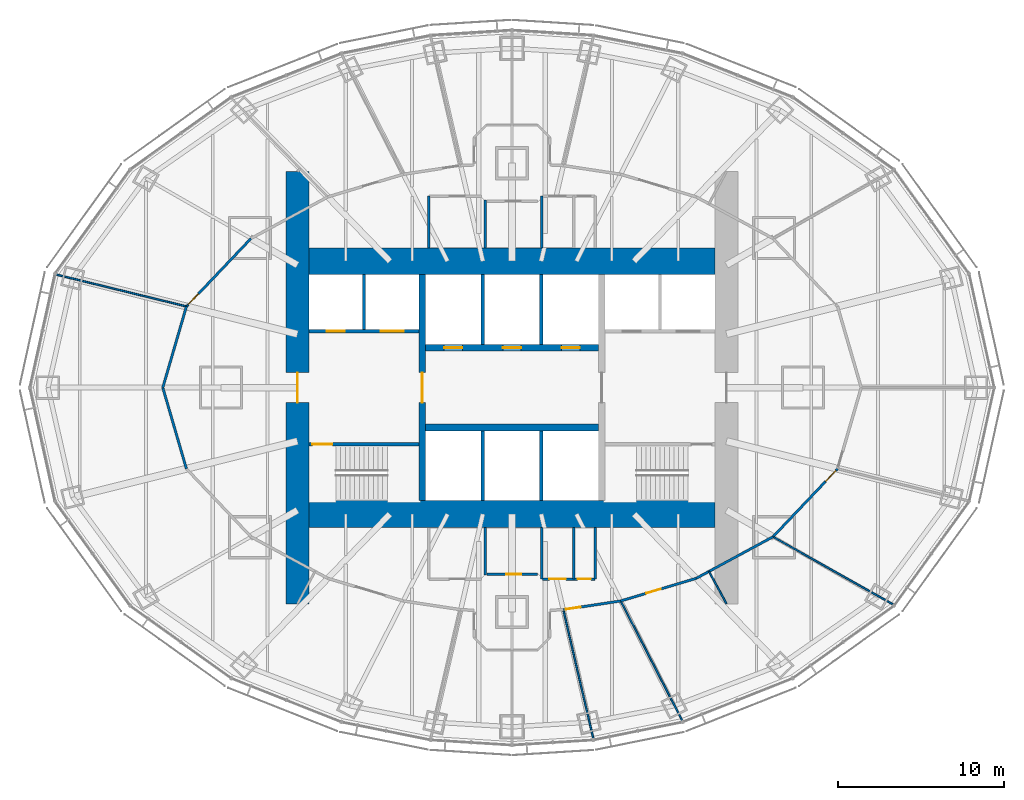
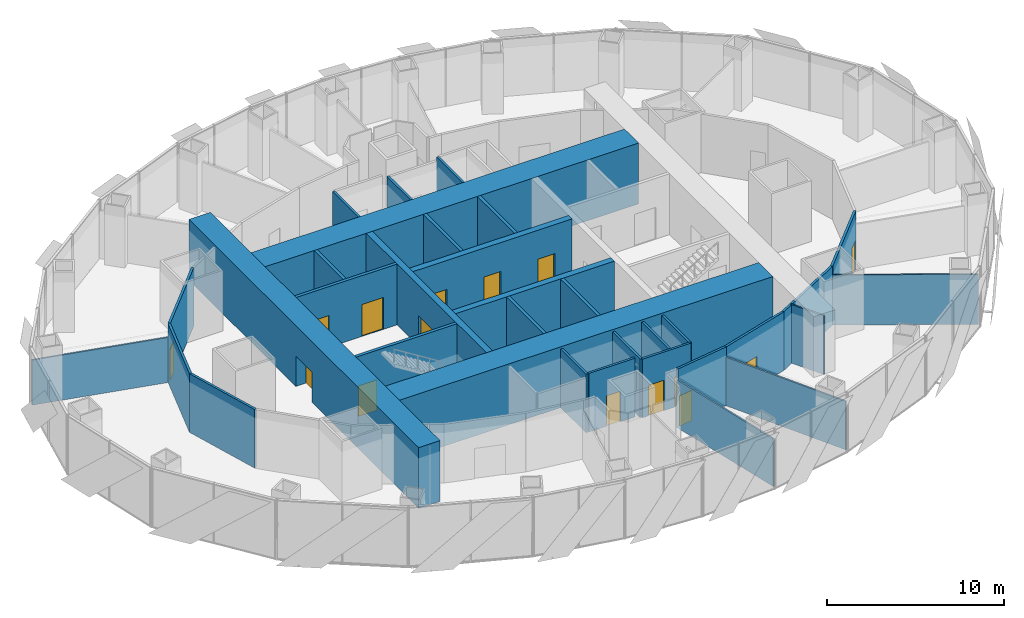
# One storey, part 11 of 18: 34 walls, 15 doors, 15 openings.
"""IFC4 building model written with IfcOpenShell, lengths in metres."""

from ifc_helpers import new_model, si_unit, direction, frame, frame_2d, origin, place, context, subcontext, project, spatial, rectangle, extrude, material, layer, layer_set, type_object, element, fill, save


model = new_model("IFC4")

# Units and contexts
model_context = context("Model", 3, precision=1e-05, world=origin(), true_north=direction((0.0, 1.0)))
body_context = subcontext(model_context, "Body", "Model", "MODEL_VIEW")
ifc_project = project(units=[si_unit("LENGTHUNIT", "METRE"), si_unit("AREAUNIT", "SQUARE_METRE"), si_unit("VOLUMEUNIT", "CUBIC_METRE"), si_unit("PLANEANGLEUNIT", "RADIAN"), si_unit("MASSUNIT", "GRAM", prefix="KILO")], contexts=[model_context])

# Site, building, storey
site_placement = place(None, origin())
site = spatial("IfcSite", under=ifc_project, at=site_placement, CompositionType="ELEMENT")
building_placement = place(site_placement, origin())
building = spatial("IfcBuilding", under=site, at=building_placement, Name="Lantaw Convention Tower", CompositionType="ELEMENT")
storey_placement = place(building_placement, frame((0.0, 0.0, 146.800048828125)))
storey = spatial("IfcBuildingStorey", under=building, at=storey_placement, Name="L34", CompositionType="ELEMENT", Elevation=146.800048828125)

# Wall, opening, door
ifc_material_1 = material(Name="Concrete C60/75", Category="concrete")
ifc_layer_1 = layer(ifc_material_1, 1.39990234375)
ifc_layer_set_1 = layer_set([ifc_layer_1], Name="Core wall 1400")
wall_type_1 = type_object("IfcWallType", Name="Core wall 1400", PredefinedType="SHEAR", material=ifc_layer_set_1)
wall_1_placement = place(storey_placement, frame((-12.89990234375, 13.0, 0.0), z_axis=(0.0, 0.0, 1.0), x_axis=(0.0, -1.0, 0.0)))
wall_1 = element("IfcWall", 1, at=wall_1_placement, inside=storey, type_object=wall_type_1, Name="Core wall W", PredefinedType="SHEAR", context=body_context, shape_type="SweptSolid", body=[
    extrude(rectangle(XDim=26.0, YDim=1.39990234375, at=frame_2d((13.0, 0.0))), origin(), (0.0, 0.0, 1.0), 4.199951171875),
])
opening_1_placement = place(wall_1_placement, frame((12.10009765625, 0.0, 0.0)))
opening_1 = element("IfcOpeningElement", 2, at=opening_1_placement, cuts=wall_1, Name="Opening L34.06", PredefinedType="OPENING", context=body_context, shape_type="SweptSolid", body=[
    extrude(rectangle(XDim=1.800048828125, YDim=2.10009765625, at=frame_2d((0.89990234375, 1.050048828125))), frame((0.0, 0.7099609375, 0.0), z_axis=(0.0, -1.0, 0.0), x_axis=(1.0, 0.0, 0.0)), (0.0, 0.0, 1.0), 1.419921875),
])
ifc_material_2 = material(Name="Steel, fire rated", Category="steel")
door_type_1 = type_object("IfcDoorType", Name="Lobby double door FD90", OperationType="DOUBLE_DOOR_DOUBLE_SWING", PredefinedType="DOOR", material=ifc_material_2)
door_1_placement = place(opening_1_placement, origin())
door_1 = element("IfcDoor", 3, at=door_1_placement, inside=storey, type_object=door_type_1, Name="Firefighting lobby door", OperationType="DOUBLE_DOOR_DOUBLE_SWING", OverallHeight=2.10009765625, OverallWidth=1.800048828125, PredefinedType="DOOR", context=body_context, shape_type="SweptSolid", body=[
    extrude(rectangle(XDim=1.800048828125, YDim=2.10009765625, at=frame_2d((0.89990234375, 1.050048828125))), frame((0.0, 0.02490234375, 0.0), z_axis=(0.0, -1.0, 0.0), x_axis=(1.0, 0.0, 0.0)), (0.0, 0.0, 1.0), 0.050048828125),
])
fill(opening_1, door_1)

# Walls
ifc_layer_2 = layer(ifc_material_1, 1.60009765625)
ifc_layer_set_2 = layer_set([ifc_layer_2], Name="Core wall 1600")
wall_type_2 = type_object("IfcWallType", Name="Core wall 1600", PredefinedType="SHEAR", material=ifc_layer_set_2)
for number, where, z_axis, x_axis, name in (
    (4, (-12.199951171875, -7.60009765625, 0.0), (0.0, 0.0, 1.0), (1.0, 0.0, 0.0), "Core wall S"),
    (5, (12.199951171875, 7.60009765625, 0.0), (0.0, 0.0, 1.0), (-1.0, 0.0, 0.0), "Core wall N"),
):
    element("IfcWall", number, at=place(storey_placement, frame(where, z_axis=z_axis, x_axis=x_axis)), inside=storey, type_object=wall_type_2, Name=name, PredefinedType="SHEAR", context=body_context, shape_type="SweptSolid", body=[
        extrude(rectangle(XDim=24.39990234375, YDim=1.60009765625, at=frame_2d((12.199951171875, 0.0))), origin(), (0.0, 0.0, 1.0), 4.199951171875),
    ])

# Wall, opening, door
ifc_layer_3 = layer(ifc_material_1, 0.199951171875)
ifc_layer_set_3 = layer_set([ifc_layer_3], Name="Core wall 200")
wall_type_3 = type_object("IfcWallType", Name="Core wall 200", PredefinedType="SHEAR", material=ifc_layer_set_3)
wall_2_placement = place(storey_placement, frame((-5.60009765625, -3.39990234375, 0.0), z_axis=(0.0, 0.0, 1.0), x_axis=(-1.0, 0.0, 0.0)))
wall_2 = element("IfcWall", 6, at=wall_2_placement, inside=storey, type_object=wall_type_3, Name="Core wall WS", PredefinedType="SHEAR", context=body_context, shape_type="SweptSolid", body=[
    extrude(rectangle(XDim=6.599853515625, YDim=0.199951171875, at=frame_2d((3.2998046875, 0.0))), origin(), (0.0, 0.0, 1.0), 4.199951171875),
])
opening_2_placement = place(wall_2_placement, frame((5.199951171875, 0.0, 0.0)))
opening_2 = element("IfcOpeningElement", 7, at=opening_2_placement, cuts=wall_2, Name="Opening L34.04", PredefinedType="OPENING", context=body_context, shape_type="SweptSolid", body=[
    extrude(rectangle(XDim=1.199951171875, YDim=2.10009765625, at=frame_2d((0.60009765625, 1.050048828125))), frame((0.0, 0.10986328125, 0.0), z_axis=(0.0, -1.0, 0.0), x_axis=(1.0, 0.0, 0.0)), (0.0, 0.0, 1.0), 0.219970703125),
])
door_type_2 = type_object("IfcDoorType", Name="Stair door FD90", OperationType="SINGLE_SWING_RIGHT", PredefinedType="DOOR", material=ifc_material_2)
door_2_placement = place(opening_2_placement, origin())
door_2 = element("IfcDoor", 8, at=door_2_placement, inside=storey, type_object=door_type_2, Name="Exit stair door", OperationType="SINGLE_SWING_RIGHT", OverallHeight=2.10009765625, OverallWidth=1.199951171875, PredefinedType="DOOR", context=body_context, shape_type="SweptSolid", body=[
    extrude(rectangle(XDim=1.199951171875, YDim=2.10009765625, at=frame_2d((0.60009765625, 1.050048828125))), frame((0.0, 0.02490234375, 0.0), z_axis=(0.0, -1.0, 0.0), x_axis=(1.0, 0.0, 0.0)), (0.0, 0.0, 1.0), 0.050048828125),
])
fill(opening_2, door_2)

ifc_layer_4 = layer(ifc_material_1, 0.39990234375)
ifc_layer_set_4 = layer_set([ifc_layer_4], Name="Core wall 400")
wall_type_4 = type_object("IfcWallType", Name="Core wall 400", PredefinedType="SHEAR", material=ifc_layer_set_4)
wall_3_placement = place(storey_placement, frame((-5.39990234375, 6.800048828125, 0.0), z_axis=(0.0, 0.0, 1.0), x_axis=(0.0, -1.0, 0.0)))
wall_3 = element("IfcWall", 9, at=wall_3_placement, inside=storey, type_object=wall_type_4, Name="Core wall XW", PredefinedType="SHEAR", context=body_context, shape_type="SweptSolid", body=[
    extrude(rectangle(XDim=13.60009765625, YDim=0.39990234375, at=frame_2d((6.800048828125, 0.0))), origin(), (0.0, 0.0, 1.0), 4.199951171875),
])
opening_3_placement = place(wall_3_placement, frame((5.89990234375, 0.0, 0.0)))
opening_3 = element("IfcOpeningElement", 10, at=opening_3_placement, cuts=wall_3, Name="Opening L34.02", PredefinedType="OPENING", context=body_context, shape_type="SweptSolid", body=[
    extrude(rectangle(XDim=1.800048828125, YDim=2.10009765625, at=frame_2d((0.89990234375, 1.050048828125))), frame((0.0, 0.2099609375, 0.0), z_axis=(0.0, -1.0, 0.0), x_axis=(1.0, 0.0, 0.0)), (0.0, 0.0, 1.0), 0.419921875),
])
door_3_placement = place(opening_3_placement, origin())
door_3 = element("IfcDoor", 11, at=door_3_placement, inside=storey, type_object=door_type_1, Name="Lift lobby door", OperationType="DOUBLE_DOOR_DOUBLE_SWING", OverallHeight=2.10009765625, OverallWidth=1.800048828125, PredefinedType="DOOR", context=body_context, shape_type="SweptSolid", body=[
    extrude(rectangle(XDim=1.800048828125, YDim=2.10009765625, at=frame_2d((0.89990234375, 1.050048828125))), frame((0.0, 0.02490234375, 0.0), z_axis=(0.0, -1.0, 0.0), x_axis=(1.0, 0.0, 0.0)), (0.0, 0.0, 1.0), 0.050048828125),
])
fill(opening_3, door_3)

# Wall
wall_4_placement = place(storey_placement, frame((-5.199951171875, -2.39990234375, 0.0), z_axis=(0.0, 0.0, 1.0), x_axis=(1.0, 0.0, 0.0)))
element("IfcWall", 12, at=wall_4_placement, inside=storey, type_object=wall_type_4, Name="Core wall BS", PredefinedType="SHEAR", context=body_context, shape_type="SweptSolid", body=[
    extrude(rectangle(XDim=10.39990234375, YDim=0.39990234375, at=frame_2d((5.199951171875, 0.0))), origin(), (0.0, 0.0, 1.0), 4.199951171875),
])

# Wall, openings, doors
wall_5_placement = place(storey_placement, frame((5.199951171875, 2.39990234375, 0.0), z_axis=(0.0, 0.0, 1.0), x_axis=(-1.0, 0.0, 0.0)))
wall_5 = element("IfcWall", 13, at=wall_5_placement, inside=storey, type_object=wall_type_4, Name="Core wall BN", PredefinedType="SHEAR", context=body_context, shape_type="SweptSolid", body=[
    extrude(rectangle(XDim=10.39990234375, YDim=0.39990234375, at=frame_2d((5.199951171875, 0.0))), origin(), (0.0, 0.0, 1.0), 4.199951171875),
])
opening_4_placement = place(wall_5_placement, frame((8.183349609375, 0.0, 0.0)))
opening_4 = element("IfcOpeningElement", 14, at=opening_4_placement, cuts=wall_5, Name="Opening L34.07", PredefinedType="OPENING", context=body_context, shape_type="SweptSolid", body=[
    extrude(rectangle(XDim=1.10009765625, YDim=2.199951171875, at=frame_2d((0.550048828125, 1.10009765625))), frame((0.0, 0.2099609375, 0.0), z_axis=(0.0, -1.0, 0.0), x_axis=(1.0, 0.0, 0.0)), (0.0, 0.0, 1.0), 0.419921875),
])
opening_5_placement = place(wall_5_placement, frame((4.64990234375, 0.0, 0.0)))
opening_5 = element("IfcOpeningElement", 15, at=opening_5_placement, cuts=wall_5, Name="Opening L34.08", PredefinedType="OPENING", context=body_context, shape_type="SweptSolid", body=[
    extrude(rectangle(XDim=1.10009765625, YDim=2.199951171875, at=frame_2d((0.550048828125, 1.10009765625))), frame((0.0, 0.2099609375, 0.0), z_axis=(0.0, -1.0, 0.0), x_axis=(1.0, 0.0, 0.0)), (0.0, 0.0, 1.0), 0.419921875),
])
opening_6_placement = place(wall_5_placement, frame((1.11669921875, 0.0, 0.0)))
opening_6 = element("IfcOpeningElement", 16, at=opening_6_placement, cuts=wall_5, Name="Opening L34.09", PredefinedType="OPENING", context=body_context, shape_type="SweptSolid", body=[
    extrude(rectangle(XDim=1.10009765625, YDim=2.199951171875, at=frame_2d((0.550048828125, 1.10009765625))), frame((0.0, 0.2099609375, 0.0), z_axis=(0.0, -1.0, 0.0), x_axis=(1.0, 0.0, 0.0)), (0.0, 0.0, 1.0), 0.419921875),
])
ifc_material_3 = material(Name="Stainless steel", Category="steel")
door_type_3 = type_object("IfcDoorType", Name="Lift landing door 1100", OperationType="DOUBLE_DOOR_SLIDING", PredefinedType="DOOR", material=ifc_material_3)
door_4_placement = place(opening_4_placement, origin())
door_4 = element("IfcDoor", 17, at=door_4_placement, inside=storey, type_object=door_type_3, Name="Lift landing door N1", OperationType="DOUBLE_DOOR_SLIDING", OverallHeight=2.199951171875, OverallWidth=1.10009765625, PredefinedType="DOOR", context=body_context, shape_type="SweptSolid", body=[
    extrude(rectangle(XDim=1.10009765625, YDim=2.199951171875, at=frame_2d((0.550048828125, 1.10009765625))), frame((0.0, 0.02490234375, 0.0), z_axis=(0.0, -1.0, 0.0), x_axis=(1.0, 0.0, 0.0)), (0.0, 0.0, 1.0), 0.050048828125),
])
fill(opening_4, door_4)
door_5_placement = place(opening_5_placement, origin())
door_5 = element("IfcDoor", 18, at=door_5_placement, inside=storey, type_object=door_type_3, Name="Lift landing door N2", OperationType="DOUBLE_DOOR_SLIDING", OverallHeight=2.199951171875, OverallWidth=1.10009765625, PredefinedType="DOOR", context=body_context, shape_type="SweptSolid", body=[
    extrude(rectangle(XDim=1.10009765625, YDim=2.199951171875, at=frame_2d((0.550048828125, 1.10009765625))), frame((0.0, 0.02490234375, 0.0), z_axis=(0.0, -1.0, 0.0), x_axis=(1.0, 0.0, 0.0)), (0.0, 0.0, 1.0), 0.050048828125),
])
fill(opening_5, door_5)
door_6_placement = place(opening_6_placement, origin())
door_6 = element("IfcDoor", 19, at=door_6_placement, inside=storey, type_object=door_type_3, Name="Lift landing door N3", OperationType="DOUBLE_DOOR_SLIDING", OverallHeight=2.199951171875, OverallWidth=1.10009765625, PredefinedType="DOOR", context=body_context, shape_type="SweptSolid", body=[
    extrude(rectangle(XDim=1.10009765625, YDim=2.199951171875, at=frame_2d((0.550048828125, 1.10009765625))), frame((0.0, 0.02490234375, 0.0), z_axis=(0.0, -1.0, 0.0), x_axis=(1.0, 0.0, 0.0)), (0.0, 0.0, 1.0), 0.050048828125),
])
fill(opening_6, door_6)

# Wall, opening, door
ifc_material_4 = material(Name="Gypsum board on steel studs, fire rated", Category="steel")
ifc_layer_5 = layer(ifc_material_4, 0.14990234375)
ifc_layer_set_5 = layer_set([ifc_layer_5], Name="Corridor wall 150 EI 60")
wall_type_5 = type_object("IfcWallType", Name="Corridor wall 150 EI 60", PredefinedType="PARTITIONING", material=ifc_layer_set_5)
wall_6_placement = place(storey_placement, frame((-15.695556640625, 8.968994140625, 0.0), z_axis=(0.0, 0.0, 1.0), x_axis=(-0.688797257101, -0.72495402517, 0.0)))
wall_6 = element("IfcWall", 20, at=wall_6_placement, inside=storey, type_object=wall_type_5, Name="Corridor wall 150", PredefinedType="PARTITIONING", context=body_context, shape_type="SweptSolid", body=[
    extrude(rectangle(XDim=5.63818359375, YDim=0.14990234375, at=frame_2d((2.819091796875, 0.0))), origin(), (0.0, 0.0, 1.0), 4.050048828125),
])
opening_7_placement = place(wall_6_placement, frame((4.587890625, 0.0, 0.0)))
opening_7 = element("IfcOpeningElement", 21, at=opening_7_placement, cuts=wall_6, Name="Opening L34.28", PredefinedType="OPENING", context=body_context, shape_type="SweptSolid", body=[
    extrude(rectangle(XDim=0.89990234375, YDim=2.10009765625, at=frame_2d((0.449951171875, 1.050048828125))), frame((0.0, 0.0849609375, 0.0), z_axis=(0.0, -1.0, 0.0), x_axis=(1.0, 0.0, 0.0)), (0.0, 0.0, 1.0), 0.169921875),
])
door_type_4 = type_object("IfcDoorType", Name="Office door 900 FD30", OperationType="SINGLE_SWING_LEFT", PredefinedType="DOOR", material=ifc_material_2)
door_7_placement = place(opening_7_placement, origin())
door_7 = element("IfcDoor", 22, at=door_7_placement, inside=storey, type_object=door_type_4, Name="Director office door", OperationType="SINGLE_SWING_LEFT", OverallHeight=2.10009765625, OverallWidth=0.89990234375, PredefinedType="DOOR", context=body_context, shape_type="SweptSolid", body=[
    extrude(rectangle(XDim=0.89990234375, YDim=2.10009765625, at=frame_2d((0.449951171875, 1.050048828125))), frame((0.0, 0.02490234375, 0.0), z_axis=(0.0, -1.0, 0.0), x_axis=(1.0, 0.0, 0.0)), (0.0, 0.0, 1.0), 0.050048828125),
])
fill(opening_7, door_7)

# Walls
for number, where, z_axis, x_axis, name in (
    (23, (-19.5791015625, 4.881591796875, 0.0), (0.0, 0.0, 1.0), (-0.279474430869, -0.960153134917, 0.0), "Corridor wall 150"),
    (24, (-21.0, 0.0, 0.0), (0.0, 0.0, 1.0), (0.279474430869, -0.960153134917, 0.0), "Corridor wall 150"),
):
    element("IfcWall", number, at=place(storey_placement, frame(where, z_axis=z_axis, x_axis=x_axis)), inside=storey, type_object=wall_type_5, Name=name, PredefinedType="PARTITIONING", context=body_context, shape_type="SweptSolid", body=[
        extrude(rectangle(XDim=5.084228515625, YDim=0.14990234375, at=frame_2d((2.5419921875, 0.0))), origin(), (0.0, 0.0, 1.0), 4.050048828125),
    ])

# Wall, opening, door
wall_7_placement = place(storey_placement, frame((3.0830078125, -13.353759765625, 0.0), z_axis=(0.0, 0.0, 1.0), x_axis=(0.988668719464, 0.150113833987, 0.0)))
wall_7 = element("IfcWall", 25, at=wall_7_placement, inside=storey, type_object=wall_type_5, Name="Corridor wall 150", PredefinedType="PARTITIONING", context=body_context, shape_type="SweptSolid", body=[
    extrude(rectangle(XDim=3.493408203125, YDim=0.14990234375, at=frame_2d((1.74658203125, 0.0))), origin(), (0.0, 0.0, 1.0), 4.050048828125),
])
opening_8_placement = place(wall_7_placement, frame((0.14990234375, 0.0, 0.0)))
opening_8 = element("IfcOpeningElement", 26, at=opening_8_placement, cuts=wall_7, Name="Opening L34.32", PredefinedType="OPENING", context=body_context, shape_type="SweptSolid", body=[
    extrude(rectangle(XDim=0.89990234375, YDim=2.10009765625, at=frame_2d((0.449951171875, 1.050048828125))), frame((0.0, 0.0849609375, 0.0), z_axis=(0.0, -1.0, 0.0), x_axis=(1.0, 0.0, 0.0)), (0.0, 0.0, 1.0), 0.169921875),
])
door_8_placement = place(opening_8_placement, origin())
door_8 = element("IfcDoor", 27, at=door_8_placement, inside=storey, type_object=door_type_4, Name="Pantry door", OperationType="SINGLE_SWING_LEFT", OverallHeight=2.10009765625, OverallWidth=0.89990234375, PredefinedType="DOOR", context=body_context, shape_type="SweptSolid", body=[
    extrude(rectangle(XDim=0.89990234375, YDim=2.10009765625, at=frame_2d((0.449951171875, 1.050048828125))), frame((0.0, 0.02490234375, 0.0), z_axis=(0.0, -1.0, 0.0), x_axis=(1.0, 0.0, 0.0)), (0.0, 0.0, 1.0), 0.050048828125),
])
fill(opening_8, door_8)

wall_8_placement = place(storey_placement, frame((6.536865234375, -12.829345703125, 0.0), z_axis=(0.0, 0.0, 1.0), x_axis=(0.957933992798, 0.286988615527, 0.0)))
wall_8 = element("IfcWall", 28, at=wall_8_placement, inside=storey, type_object=wall_type_5, Name="Corridor wall 150", PredefinedType="PARTITIONING", context=body_context, shape_type="SweptSolid", body=[
    extrude(rectangle(XDim=4.73828125, YDim=0.14990234375, at=frame_2d((2.369140625, 0.0))), origin(), (0.0, 0.0, 1.0), 4.050048828125),
])
opening_9_placement = place(wall_8_placement, frame((1.60693359375, 0.0, 0.0)))
opening_9 = element("IfcOpeningElement", 29, at=opening_9_placement, cuts=wall_8, Name="Opening L34.33", PredefinedType="OPENING", context=body_context, shape_type="SweptSolid", body=[
    extrude(rectangle(XDim=0.89990234375, YDim=2.10009765625, at=frame_2d((0.449951171875, 1.050048828125))), frame((0.0, 0.0849609375, 0.0), z_axis=(0.0, -1.0, 0.0), x_axis=(1.0, 0.0, 0.0)), (0.0, 0.0, 1.0), 0.169921875),
])
door_9_placement = place(opening_9_placement, origin())
door_9 = element("IfcDoor", 30, at=door_9_placement, inside=storey, type_object=door_type_4, Name="Director office door", OperationType="SINGLE_SWING_LEFT", OverallHeight=2.10009765625, OverallWidth=0.89990234375, PredefinedType="DOOR", context=body_context, shape_type="SweptSolid", body=[
    extrude(rectangle(XDim=0.89990234375, YDim=2.10009765625, at=frame_2d((0.449951171875, 1.050048828125))), frame((0.0, 0.02490234375, 0.0), z_axis=(0.0, -1.0, 0.0), x_axis=(1.0, 0.0, 0.0)), (0.0, 0.0, 1.0), 0.050048828125),
])
fill(opening_9, door_9)

# Wall
wall_9_placement = place(storey_placement, frame((11.075927734375, -11.469482421875, 0.0), z_axis=(0.0, 0.0, 1.0), x_axis=(0.879436285334, 0.476016617397, 0.0)))
element("IfcWall", 31, at=wall_9_placement, inside=storey, type_object=wall_type_5, Name="Corridor wall 150", PredefinedType="PARTITIONING", context=body_context, shape_type="SweptSolid", body=[
    extrude(rectangle(XDim=5.2529296875, YDim=0.14990234375, at=frame_2d((2.62646484375, 0.0))), origin(), (0.0, 0.0, 1.0), 4.050048828125),
])

# Wall, opening, door
wall_10_placement = place(storey_placement, frame((15.695556640625, -8.968994140625, 0.0), z_axis=(0.0, 0.0, 1.0), x_axis=(0.688797257101, 0.72495402517, 0.0)))
wall_10 = element("IfcWall", 32, at=wall_10_placement, inside=storey, type_object=wall_type_5, Name="Corridor wall 150", PredefinedType="PARTITIONING", context=body_context, shape_type="SweptSolid", body=[
    extrude(rectangle(XDim=5.63818359375, YDim=0.14990234375, at=frame_2d((2.819091796875, 0.0))), origin(), (0.0, 0.0, 1.0), 4.050048828125),
])
opening_10_placement = place(wall_10_placement, frame((4.587890625, 0.0, 0.0)))
opening_10 = element("IfcOpeningElement", 33, at=opening_10_placement, cuts=wall_10, Name="Opening L34.34", PredefinedType="OPENING", context=body_context, shape_type="SweptSolid", body=[
    extrude(rectangle(XDim=0.89990234375, YDim=2.10009765625, at=frame_2d((0.449951171875, 1.050048828125))), frame((0.0, 0.0849609375, 0.0), z_axis=(0.0, -1.0, 0.0), x_axis=(1.0, 0.0, 0.0)), (0.0, 0.0, 1.0), 0.169921875),
])
door_10_placement = place(opening_10_placement, origin())
door_10 = element("IfcDoor", 34, at=door_10_placement, inside=storey, type_object=door_type_4, Name="Private office door", OperationType="SINGLE_SWING_LEFT", OverallHeight=2.10009765625, OverallWidth=0.89990234375, PredefinedType="DOOR", context=body_context, shape_type="SweptSolid", body=[
    extrude(rectangle(XDim=0.89990234375, YDim=2.10009765625, at=frame_2d((0.449951171875, 1.050048828125))), frame((0.0, 0.02490234375, 0.0), z_axis=(0.0, -1.0, 0.0), x_axis=(1.0, 0.0, 0.0)), (0.0, 0.0, 1.0), 0.050048828125),
])
fill(opening_10, door_10)

# Walls
ifc_material_5 = material(Name="Gypsum board on steel studs, acoustic", Category="steel")
ifc_layer_6 = layer(ifc_material_5, 0.10009765625)
ifc_layer_set_6 = layer_set([ifc_layer_6], Name="Office partition 100")
wall_type_6 = type_object("IfcWallType", Name="Office partition 100", PredefinedType="PARTITIONING", material=ifc_layer_set_6)
wall_11_placement = place(storey_placement, frame((-27.440673828125, 6.808837890625, 0.0), z_axis=(0.0, 0.0, 1.0), x_axis=(0.971241251223, -0.238097526075, 0.0)))
element("IfcWall", 35, at=wall_11_placement, inside=storey, type_object=wall_type_6, Name="Office partition 100", PredefinedType="PARTITIONING", context=body_context, shape_type="SweptSolid", body=[
    extrude(rectangle(XDim=8.09423828125, YDim=0.10009765625, at=frame_2d((4.047119140625, 0.0))), origin(), (0.0, 0.0, 1.0), 3.11279296875),
])
wall_12_placement = place(storey_placement, frame((4.89697265625, -21.134765625, 0.0), z_axis=(0.0, 0.0, 1.0), x_axis=(-0.227039313577, 0.973885593943, 0.0)))
element("IfcWall", 36, at=wall_12_placement, inside=storey, type_object=wall_type_6, Name="Office partition 100", PredefinedType="PARTITIONING", context=body_context, shape_type="SweptSolid", body=[
    extrude(rectangle(XDim=7.98974609375, YDim=0.10009765625, at=frame_2d((3.994873046875, 0.0))), origin(), (0.0, 0.0, 1.0), 3.29296875),
])
wall_13_placement = place(storey_placement, frame((10.253173828125, -20.0517578125, 0.0), z_axis=(0.0, 0.0, 1.0), x_axis=(-0.457535449567, 0.889191381194, 0.0)))
element("IfcWall", 37, at=wall_13_placement, inside=storey, type_object=wall_type_6, Name="Office partition 100", PredefinedType="PARTITIONING", context=body_context, shape_type="SweptSolid", body=[
    extrude(rectangle(XDim=8.12255859375, YDim=0.10009765625, at=frame_2d((4.061279296875, 0.0))), origin(), (0.0, 0.0, 1.0), 3.348876953125),
])
wall_14_placement = place(storey_placement, frame((22.94921875, -13.058837890625, 0.0), z_axis=(0.0, 0.0, 1.0), x_axis=(-0.871079462611, 0.491142107558, 0.0)))
element("IfcWall", 38, at=wall_14_placement, inside=storey, type_object=wall_type_6, Name="Office partition 100", PredefinedType="PARTITIONING", context=body_context, shape_type="SweptSolid", body=[
    extrude(rectangle(XDim=8.3271484375, YDim=0.10009765625, at=frame_2d((4.16357421875, 0.0))), origin(), (0.0, 0.0, 1.0), 3.450439453125),
])
wall_15_placement = place(storey_placement, frame((12.89990234375, -13.0, 0.0), z_axis=(0.0, 0.0, 1.0), x_axis=(-0.475998959765, 0.879445842734, 0.0)))
element("IfcWall", 39, at=wall_15_placement, inside=storey, type_object=wall_type_6, Name="Office partition 100", PredefinedType="PARTITIONING", context=body_context, shape_type="SweptSolid", body=[
    extrude(rectangle(XDim=2.214111328125, YDim=0.10009765625, at=frame_2d((1.10693359375, 0.0))), origin(), (0.0, 0.0, 1.0), 4.050048828125),
])
ifc_material_6 = material(Name="Concrete blockwork, fire rated", Category="masonry")
ifc_layer_7 = layer(ifc_material_6, 0.199951171875)
ifc_layer_set_7 = layer_set([ifc_layer_7], Name="Shaft wall 200")
wall_type_7 = type_object("IfcWallType", Name="Shaft wall 200", PredefinedType="SOLIDWALL", material=ifc_layer_set_7)
for number, where, z_axis, x_axis, name in (
    (40, (-1.7666015625, 2.60009765625, 0.0), (0.0, 0.0, 1.0), (0.0, 1.0, 0.0), "Shaft wall DN1"),
    (41, (1.7666015625, 2.60009765625, 0.0), (0.0, 0.0, 1.0), (0.0, 1.0, 0.0), "Shaft wall DN2"),
):
    element("IfcWall", number, at=place(storey_placement, frame(where, z_axis=z_axis, x_axis=x_axis)), inside=storey, type_object=wall_type_7, Name=name, PredefinedType="SOLIDWALL", context=body_context, shape_type="SweptSolid", body=[
        extrude(rectangle(XDim=4.199951171875, YDim=0.199951171875, at=frame_2d((2.10009765625, 0.0))), origin(), (0.0, 0.0, 1.0), 4.199951171875),
    ])

# Wall, openings, doors
wall_16_placement = place(storey_placement, frame((-12.199951171875, 3.39990234375, 0.0), z_axis=(0.0, 0.0, 1.0), x_axis=(1.0, 0.0, 0.0)))
wall_16 = element("IfcWall", 42, at=wall_16_placement, inside=storey, type_object=wall_type_7, Name="Shaft wall WN", PredefinedType="SOLIDWALL", context=body_context, shape_type="SweptSolid", body=[
    extrude(rectangle(XDim=6.599853515625, YDim=0.199951171875, at=frame_2d((3.2998046875, 0.0))), origin(), (0.0, 0.0, 1.0), 4.199951171875),
])
opening_11_placement = place(wall_16_placement, frame((1.050048828125, 0.0, 0.0)))
opening_11 = element("IfcOpeningElement", 43, at=opening_11_placement, cuts=wall_16, Name="Opening L34.10", PredefinedType="OPENING", context=body_context, shape_type="SweptSolid", body=[
    extrude(rectangle(XDim=1.10009765625, YDim=2.199951171875, at=frame_2d((0.550048828125, 1.10009765625))), frame((0.0, 0.10986328125, 0.0), z_axis=(0.0, -1.0, 0.0), x_axis=(1.0, 0.0, 0.0)), (0.0, 0.0, 1.0), 0.219970703125),
])
opening_12_placement = place(wall_16_placement, frame((4.300048828125, 0.0, 0.0)))
opening_12 = element("IfcOpeningElement", 44, at=opening_12_placement, cuts=wall_16, Name="Opening L34.11", PredefinedType="OPENING", context=body_context, shape_type="SweptSolid", body=[
    extrude(rectangle(XDim=1.39990234375, YDim=2.199951171875, at=frame_2d((0.699951171875, 1.10009765625))), frame((0.0, 0.10986328125, 0.0), z_axis=(0.0, -1.0, 0.0), x_axis=(1.0, 0.0, 0.0)), (0.0, 0.0, 1.0), 0.219970703125),
])
door_11_placement = place(opening_11_placement, origin())
door_11 = element("IfcDoor", 45, at=door_11_placement, inside=storey, type_object=door_type_3, Name="Lift landing door FF1", OperationType="DOUBLE_DOOR_SLIDING", OverallHeight=2.199951171875, OverallWidth=1.10009765625, PredefinedType="DOOR", context=body_context, shape_type="SweptSolid", body=[
    extrude(rectangle(XDim=1.10009765625, YDim=2.199951171875, at=frame_2d((0.550048828125, 1.10009765625))), frame((0.0, 0.02490234375, 0.0), z_axis=(0.0, -1.0, 0.0), x_axis=(1.0, 0.0, 0.0)), (0.0, 0.0, 1.0), 0.050048828125),
])
fill(opening_11, door_11)
door_type_5 = type_object("IfcDoorType", Name="Lift landing door 1400", OperationType="DOUBLE_DOOR_SLIDING", PredefinedType="DOOR", material=ifc_material_3)
door_12_placement = place(opening_12_placement, origin())
door_12 = element("IfcDoor", 46, at=door_12_placement, inside=storey, type_object=door_type_5, Name="Lift landing door SV1", OperationType="DOUBLE_DOOR_SLIDING", OverallHeight=2.199951171875, OverallWidth=1.39990234375, PredefinedType="DOOR", context=body_context, shape_type="SweptSolid", body=[
    extrude(rectangle(XDim=1.39990234375, YDim=2.199951171875, at=frame_2d((0.699951171875, 1.10009765625))), frame((0.0, 0.02490234375, 0.0), z_axis=(0.0, -1.0, 0.0), x_axis=(1.0, 0.0, 0.0)), (0.0, 0.0, 1.0), 0.050048828125),
])
fill(opening_12, door_12)

# Walls
wall_17_placement = place(storey_placement, frame((-8.89990234375, 3.5, 0.0), z_axis=(0.0, 0.0, 1.0), x_axis=(0.0, 1.0, 0.0)))
element("IfcWall", 47, at=wall_17_placement, inside=storey, type_object=wall_type_7, Name="Shaft wall WD", PredefinedType="SOLIDWALL", context=body_context, shape_type="SweptSolid", body=[
    extrude(rectangle(XDim=3.300048828125, YDim=0.199951171875, at=frame_2d((1.64990234375, 0.0))), origin(), (0.0, 0.0, 1.0), 4.199951171875),
])
ifc_layer_8 = layer(ifc_material_6, 0.199951171875)
ifc_layer_set_8 = layer_set([ifc_layer_8], Name="Shaft wall 200 load-bearing")
wall_type_8 = type_object("IfcWallType", Name="Shaft wall 200 load-bearing", PredefinedType="SOLIDWALL", material=ifc_layer_set_8)
for number, where, z_axis, x_axis, name in (
    (48, (-1.7666015625, -2.60009765625, 0.0), (0.0, 0.0, 1.0), (0.0, -1.0, 0.0), "Shaft wall DS1"),
    (49, (1.7666015625, -2.60009765625, 0.0), (0.0, 0.0, 1.0), (0.0, -1.0, 0.0), "Shaft wall DS2"),
):
    element("IfcWall", number, at=place(storey_placement, frame(where, z_axis=z_axis, x_axis=x_axis)), inside=storey, type_object=wall_type_8, Name=name, PredefinedType="SOLIDWALL", context=body_context, shape_type="SweptSolid", body=[
        extrude(rectangle(XDim=4.199951171875, YDim=0.199951171875, at=frame_2d((2.10009765625, 0.0))), origin(), (0.0, 0.0, 1.0), 4.199951171875),
    ])
ifc_material_7 = material(Name="Concrete blockwork", Category="masonry")
ifc_layer_9 = layer(ifc_material_7, 0.14990234375)
ifc_layer_set_9 = layer_set([ifc_layer_9], Name="WC wall 150")
wall_type_9 = type_object("IfcWallType", Name="WC wall 150", PredefinedType="SOLIDWALL", material=ifc_layer_set_9)
for number, where, z_axis, x_axis, name in (
    (50, (-5.0, 8.39990234375, 0.0), (0.0, 0.0, 1.0), (0.0, 1.0, 0.0), "WC wall 150"),
    (51, (1.800048828125, 8.39990234375, 0.0), (0.0, 0.0, 1.0), (0.0, 1.0, 0.0), "WC wall 150"),
    (52, (5.0, -8.39990234375, 0.0), (0.0, 0.0, 1.0), (0.0, -1.0, 0.0), "WC wall 150"),
    (53, (1.800048828125, -8.39990234375, 0.0), (0.0, 0.0, 1.0), (0.0, -1.0, 0.0), "WC wall 150"),
    (54, (3.699951171875, -8.39990234375, 0.0), (0.0, 0.0, 1.0), (0.0, -1.0, 0.0), "WC wall 150"),
):
    element("IfcWall", number, at=place(storey_placement, frame(where, z_axis=z_axis, x_axis=x_axis)), inside=storey, type_object=wall_type_9, Name=name, PredefinedType="SOLIDWALL", context=body_context, shape_type="SweptSolid", body=[
        extrude(rectangle(XDim=3.112060546875, YDim=0.14990234375, at=frame_2d((1.55615234375, 0.0))), origin(), (0.0, 0.0, 1.0), 4.050048828125),
    ])

# Wall, openings, doors
wall_18_placement = place(storey_placement, frame((1.843505859375, -11.511962890625, 0.0), z_axis=(0.0, 0.0, 1.0), x_axis=(1.0, 0.0, 0.0)))
wall_18 = element("IfcWall", 55, at=wall_18_placement, inside=storey, type_object=wall_type_9, Name="WC wall 150", PredefinedType="SOLIDWALL", context=body_context, shape_type="SweptSolid", body=[
    extrude(rectangle(XDim=3.156494140625, YDim=0.14990234375, at=frame_2d((1.578125, 0.0))), origin(), (0.0, 0.0, 1.0), 4.050048828125),
])
opening_13_placement = place(wall_18_placement, frame((0.39990234375, 0.0, 0.0)))
opening_13 = element("IfcOpeningElement", 56, at=opening_13_placement, cuts=wall_18, Name="Opening L34.20", PredefinedType="OPENING", context=body_context, shape_type="SweptSolid", body=[
    extrude(rectangle(XDim=1.0, YDim=2.10009765625, at=frame_2d((0.5, 1.050048828125))), frame((0.0, 0.0849609375, 0.0), z_axis=(0.0, -1.0, 0.0), x_axis=(1.0, 0.0, 0.0)), (0.0, 0.0, 1.0), 0.169921875),
])
opening_14_placement = place(wall_18_placement, frame((2.10009765625, 0.0, 0.0)))
opening_14 = element("IfcOpeningElement", 57, at=opening_14_placement, cuts=wall_18, Name="Opening L34.21", PredefinedType="OPENING", context=body_context, shape_type="SweptSolid", body=[
    extrude(rectangle(XDim=0.800048828125, YDim=2.10009765625, at=frame_2d((0.39990234375, 1.050048828125))), frame((0.0, 0.0849609375, 0.0), z_axis=(0.0, -1.0, 0.0), x_axis=(1.0, 0.0, 0.0)), (0.0, 0.0, 1.0), 0.169921875),
])
ifc_material_8 = material(Name="Timber", Category="wood")
door_type_6 = type_object("IfcDoorType", Name="Accessible WC door 1000", OperationType="SINGLE_SWING_LEFT", PredefinedType="DOOR", material=ifc_material_8)
door_13_placement = place(opening_13_placement, origin())
door_13 = element("IfcDoor", 58, at=door_13_placement, inside=storey, type_object=door_type_6, Name="Accessible WC door", OperationType="SINGLE_SWING_LEFT", OverallHeight=2.10009765625, OverallWidth=1.0, PredefinedType="DOOR", context=body_context, shape_type="SweptSolid", body=[
    extrude(rectangle(XDim=1.0, YDim=2.10009765625, at=frame_2d((0.5, 1.050048828125))), frame((0.0, 0.02490234375, 0.0), z_axis=(0.0, -1.0, 0.0), x_axis=(1.0, 0.0, 0.0)), (0.0, 0.0, 1.0), 0.050048828125),
])
fill(opening_13, door_13)
door_type_7 = type_object("IfcDoorType", Name="WC door 800", OperationType="SINGLE_SWING_LEFT", PredefinedType="DOOR", material=ifc_material_8)
door_14_placement = place(opening_14_placement, origin())
door_14 = element("IfcDoor", 59, at=door_14_placement, inside=storey, type_object=door_type_7, Name="Pantry door", OperationType="SINGLE_SWING_LEFT", OverallHeight=2.10009765625, OverallWidth=0.800048828125, PredefinedType="DOOR", context=body_context, shape_type="SweptSolid", body=[
    extrude(rectangle(XDim=0.800048828125, YDim=2.10009765625, at=frame_2d((0.39990234375, 1.050048828125))), frame((0.0, 0.02490234375, 0.0), z_axis=(0.0, -1.0, 0.0), x_axis=(1.0, 0.0, 0.0)), (0.0, 0.0, 1.0), 0.050048828125),
])
fill(opening_14, door_14)

# Wall
wall_19_placement = place(storey_placement, frame((-1.60009765625, -8.39990234375, 0.0), z_axis=(0.0, 0.0, 1.0), x_axis=(0.0, -1.0, 0.0)))
element("IfcWall", 60, at=wall_19_placement, inside=storey, type_object=wall_type_9, Name="WC wall 150", PredefinedType="SOLIDWALL", context=body_context, shape_type="SweptSolid", body=[
    extrude(rectangle(XDim=2.86865234375, YDim=0.14990234375, at=frame_2d((1.434326171875, 0.0))), origin(), (0.0, 0.0, 1.0), 4.050048828125),
])

# Wall, opening, door
wall_20_placement = place(storey_placement, frame((-1.4951171875, -11.215087890625, 0.0), z_axis=(0.0, 0.0, 1.0), x_axis=(1.0, 0.0, 0.0)))
wall_20 = element("IfcWall", 61, at=wall_20_placement, inside=storey, type_object=wall_type_9, Name="WC wall 150", PredefinedType="SOLIDWALL", context=body_context, shape_type="SweptSolid", body=[
    extrude(rectangle(XDim=3.02734375, YDim=0.14990234375, at=frame_2d((1.513671875, 0.0))), origin(), (0.0, 0.0, 1.0), 4.050048828125),
])
opening_15_placement = place(wall_20_placement, frame((1.14990234375, 0.0, 0.0)))
opening_15 = element("IfcOpeningElement", 62, at=opening_15_placement, cuts=wall_20, Name="Opening L34.19", PredefinedType="OPENING", context=body_context, shape_type="SweptSolid", body=[
    extrude(rectangle(XDim=0.89990234375, YDim=2.10009765625, at=frame_2d((0.449951171875, 1.050048828125))), frame((0.0, 0.0849609375, 0.0), z_axis=(0.0, -1.0, 0.0), x_axis=(1.0, 0.0, 0.0)), (0.0, 0.0, 1.0), 0.169921875),
])
door_type_8 = type_object("IfcDoorType", Name="WC door 900", OperationType="SINGLE_SWING_LEFT", PredefinedType="DOOR", material=ifc_material_8)
door_15_placement = place(opening_15_placement, origin())
door_15 = element("IfcDoor", 63, at=door_15_placement, inside=storey, type_object=door_type_8, Name="Male WC door", OperationType="SINGLE_SWING_LEFT", OverallHeight=2.10009765625, OverallWidth=0.89990234375, PredefinedType="DOOR", context=body_context, shape_type="SweptSolid", body=[
    extrude(rectangle(XDim=0.89990234375, YDim=2.10009765625, at=frame_2d((0.449951171875, 1.050048828125))), frame((0.0, 0.02490234375, 0.0), z_axis=(0.0, -1.0, 0.0), x_axis=(1.0, 0.0, 0.0)), (0.0, 0.0, 1.0), 0.050048828125),
])
fill(opening_15, door_15)

# Wall
wall_21_placement = place(storey_placement, frame((-1.60009765625, 8.39990234375, 0.0), z_axis=(0.0, 0.0, 1.0), x_axis=(0.0, 1.0, 0.0)))
element("IfcWall", 64, at=wall_21_placement, inside=storey, type_object=wall_type_9, Name="WC wall 150", PredefinedType="SOLIDWALL", context=body_context, shape_type="SweptSolid", body=[
    extrude(rectangle(XDim=2.86865234375, YDim=0.14990234375, at=frame_2d((1.434326171875, 0.0))), origin(), (0.0, 0.0, 1.0), 4.050048828125),
])

save(model, "model.ifc")
